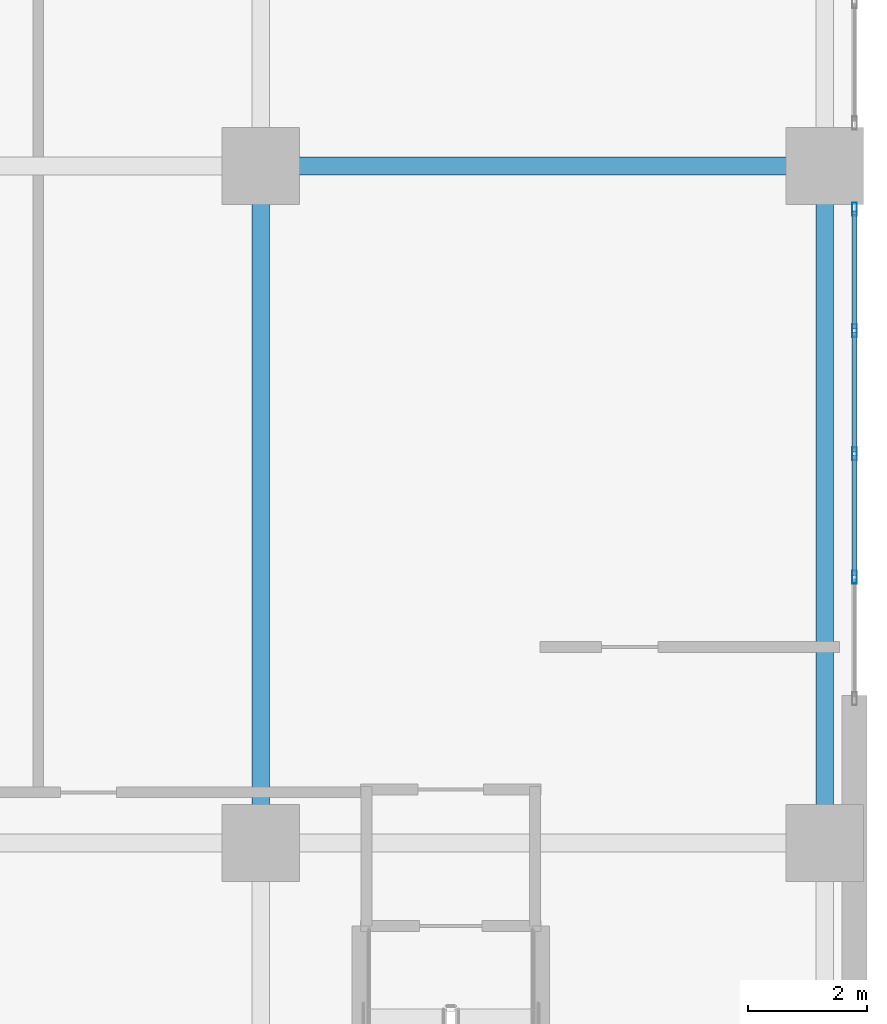
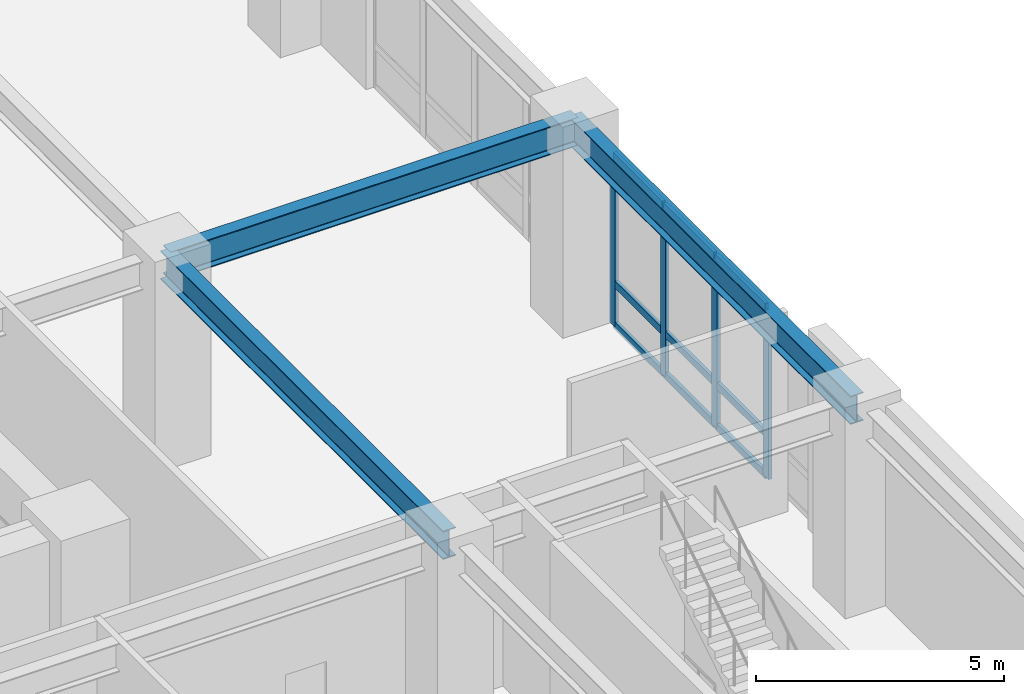
# One storey, part 15 of 26: 13 members, 3 beams, 1 element without a shape of its own.
"""IFC4 building model written with IfcOpenShell, lengths in metres."""

import ifcopenshell
import ifcopenshell.guid

model = None  # the IFC model being written
_history = None  # IfcOwnerHistory: only IFC2X3 demands one
_inside = {}  # id of a spatial element -> (the spatial element, [elements in it])
_under = {}  # id of a project, library or spatial element -> (it, [spatial elements below it])
_declared = {}  # id of a project -> (the project, [libraries it declares])
_typed = {}  # id of a type object -> (the type object, [elements of that type])
_made_of = {}  # id of a material, layer set ... -> (it, [elements and type objects made of it])


def new_model(schema):
    """Start an empty IFC model of exactly this schema.

    Asked for "IFC4X3", IfcOpenShell would pick the latest addendum, in which some entities
    have other attributes; the version numbers below select the first issue.
    IFC2X3 requires an IfcOwnerHistory on every rooted entity: one is made here for all.
    """
    global model, _history
    if schema == "IFC4X3":
        model = ifcopenshell.file(schema_version=(4, 3, 0, 0))
    else:
        model = ifcopenshell.file(schema=schema)
    _inside.clear()
    _under.clear()
    _declared.clear()
    _typed.clear()
    _made_of.clear()
    _history = None
    if model.schema == "IFC2X3":
        org = make("IfcOrganization", Name="unknown")
        user = make(
            "IfcPersonAndOrganization",
            ThePerson=make("IfcPerson", FamilyName="unknown"),
            TheOrganization=org,
        )
        app = make(
            "IfcApplication",
            ApplicationDeveloper=org,
            Version="unknown",
            ApplicationFullName="unknown",
            ApplicationIdentifier="unknown",
        )
        _history = make(
            "IfcOwnerHistory",
            OwningUser=user,
            OwningApplication=app,
            ChangeAction="ADDED",
            CreationDate=0,
        )
    return model


def make(cls, **values):
    """One entity of the class cls with the attributes given. An attribute that is None is left unset."""
    return model.create_entity(
        cls, **{name: value for name, value in values.items() if value is not None}
    )


def rooted(cls, **values):
    """An entity with a GlobalId (a new one), such as an element, a storey or a relation."""
    return make(cls, GlobalId=ifcopenshell.guid.new(), OwnerHistory=_history, **values)


def si_unit(unit_type, name, prefix=None):
    """IfcSIUnit, for example si_unit("LENGTHUNIT", "METRE", prefix="MILLI")."""
    return make("IfcSIUnit", UnitType=unit_type, Prefix=prefix, Name=name)


def assignment(units):
    """IfcUnitAssignment: the units of a project."""
    return None if units is None else make("IfcUnitAssignment", Units=units)


def point(xyz):
    """IfcCartesianPoint."""
    return None if xyz is None else make("IfcCartesianPoint", Coordinates=xyz)


def direction(xyz):
    """IfcDirection."""
    return None if xyz is None else make("IfcDirection", DirectionRatios=xyz)


def frame(location, z_axis=None, x_axis=None):
    """IfcAxis2Placement3D, a coordinate frame: its origin and axes. An axis left out is left unset."""
    return make(
        "IfcAxis2Placement3D",
        Location=point(location),
        Axis=direction(z_axis),
        RefDirection=direction(x_axis),
    )


def frame_2d(location, x_axis=None):
    """IfcAxis2Placement2D, a coordinate frame in the plane: its origin and x axis."""
    return make(
        "IfcAxis2Placement2D", Location=point(location), RefDirection=direction(x_axis)
    )


def origin():
    """The frame at (0, 0, 0) with its axes left unset."""
    return frame((0.0, 0.0, 0.0))


def origin_2d():
    """The frame at (0, 0) in the plane with its x axis left unset."""
    return frame_2d((0.0, 0.0))


def place(relative_to, where):
    """IfcLocalPlacement: puts the frame where relative to a parent placement (None: the world)."""
    return make(
        "IfcLocalPlacement", PlacementRelTo=relative_to, RelativePlacement=where
    )


def context(
    kind, dimensions, precision=None, world=None, true_north=None, identifier=None
):
    """IfcGeometricRepresentationContext, for example the 3D "Model" context."""
    return make(
        "IfcGeometricRepresentationContext",
        ContextIdentifier=identifier,
        ContextType=kind,
        CoordinateSpaceDimension=dimensions,
        Precision=precision,
        WorldCoordinateSystem=world,
        TrueNorth=true_north,
    )


def subcontext(parent, identifier, kind, view, scale=None):
    """IfcGeometricRepresentationSubContext, for example "Body" below "Model"."""
    return make(
        "IfcGeometricRepresentationSubContext",
        ContextIdentifier=identifier,
        ContextType=kind,
        ParentContext=parent,
        TargetScale=scale,
        TargetView=view,
    )


def project(units=None, contexts=None):
    """IfcProject with its units and contexts."""
    return rooted(
        "IfcProject",
        Name="project",
        RepresentationContexts=contexts,
        UnitsInContext=assignment(units),
    )


def spatial(cls, under=None, at=None, **own):
    """A site, building, storey or space (cls), placed at a placement, below another one or the project."""
    s = rooted(cls, ObjectPlacement=at, **own)
    if under is not None:
        _under.setdefault(under.id(), (under, []))[1].append(s)
    return s


def profile(cls, at=None, kind="AREA", **sizes):
    """A parametric profile (cls). Its sizes go by their IFC names, for example OverallWidth=200.0."""
    return make(cls, ProfileType=kind, Position=at, **sizes)


def hollow_rectangle(**sizes):
    """IfcRectangleHollowProfileDef."""
    return profile("IfcRectangleHollowProfileDef", **sizes)


def i_section(**sizes):
    """IfcIShapeProfileDef."""
    return profile("IfcIShapeProfileDef", **sizes)


def extrude(swept, where, along, depth):
    """IfcExtrudedAreaSolid: the profile swept, set in the frame where, extruded along a direction by depth."""
    return make(
        "IfcExtrudedAreaSolid",
        SweptArea=swept,
        Position=where,
        ExtrudedDirection=direction(along),
        Depth=depth,
    )


def shape(context_of_items, identifier, shape_type, items):
    """IfcShapeRepresentation: the items that make up one representation, for example the "Body"."""
    return make(
        "IfcShapeRepresentation",
        ContextOfItems=context_of_items,
        RepresentationIdentifier=identifier,
        RepresentationType=shape_type,
        Items=items,
    )


def material(Name=None, Category=None):
    """IfcMaterial."""
    return make("IfcMaterial", Name=Name, Category=Category)


def layer(
    of_material, thickness, ventilated=None, Name=None, Category=None, Priority=None
):
    """IfcMaterialLayer: one layer of a wall or slab, of a material (None: an air gap)."""
    return make(
        "IfcMaterialLayer",
        Material=of_material,
        LayerThickness=thickness,
        IsVentilated=ventilated,
        Name=Name,
        Category=Category,
        Priority=Priority,
    )


def layer_set(layers, Name=None):
    """IfcMaterialLayerSet."""
    return make("IfcMaterialLayerSet", MaterialLayers=layers, LayerSetName=Name)


def material_profile(
    of_material, cross_section, Name=None, Category=None, Priority=None
):
    """IfcMaterialProfile: a cross section and its material."""
    return make(
        "IfcMaterialProfile",
        Name=Name,
        Material=of_material,
        Profile=cross_section,
        Priority=Priority,
        Category=Category,
    )


def profile_set(profiles, Name=None, composite=None):
    """IfcMaterialProfileSet."""
    return make(
        "IfcMaterialProfileSet",
        Name=Name,
        MaterialProfiles=profiles,
        CompositeProfile=composite,
    )


def made_of(thing, what):
    """Note that an element or type object is made of a material, layer set ...; save() writes the relation."""
    if what is not None:
        _made_of.setdefault(what.id(), (what, []))[1].append(thing)
    return thing


def type_object(cls, material=None, **own):
    """A type object (cls), such as IfcWallType, which elements share."""
    return made_of(rooted(cls, **own), material)


def element(
    cls,
    number,
    at=None,
    inside=None,
    cuts=None,
    type_object=None,
    material=None,
    context=None,
    identifier="Body",
    shape_type=None,
    held_by="IfcProductDefinitionShape",
    body=None,
    shapes=None,
    **own,
):
    """One element of the class cls, such as IfcWall. Its Tag is "e" and its number.

    at: its placement. inside: the storey or other place that contains it. cuts: it is an
    opening in that element (IfcRelVoidsElement). A single representation is given by context,
    identifier, shape_type and body (its items); several are given by shapes. held_by: the class
    of the entity that holds the representations. save() writes the other relations.
    """
    e = rooted(cls, Tag="e%d" % number, ObjectPlacement=at, **own)
    if body is not None:
        shapes = [shape(context, identifier, shape_type, body)]
    if shapes is not None:
        e.Representation = make(held_by, Representations=shapes)
    if inside is not None:
        _inside.setdefault(inside.id(), (inside, []))[1].append(e)
    if cuts is not None:
        rooted(
            "IfcRelVoidsElement", RelatingBuildingElement=cuts, RelatedOpeningElement=e
        )
    if type_object is not None:
        _typed.setdefault(type_object.id(), (type_object, []))[1].append(e)
    return made_of(e, material)


def aggregate(whole, parts):
    """IfcRelAggregates: a whole, such as a stair, and the parts it consists of."""
    return rooted("IfcRelAggregates", RelatingObject=whole, RelatedObjects=parts)


def save(model, path):
    """Write the relations noted so far, then the file.

    IfcRelAggregates (storeys below a building ...), IfcRelContainedInSpatialStructure (elements
    in a storey), IfcRelDefinesByType, IfcRelAssociatesMaterial and IfcRelDeclares: one each for
    every whole, place, type object, material and project.
    """
    for whole, parts in _under.values():
        aggregate(whole, parts)
    for where, things in _inside.values():
        rooted(
            "IfcRelContainedInSpatialStructure",
            RelatedElements=things,
            RelatingStructure=where,
        )
    for kind, things in _typed.values():
        rooted("IfcRelDefinesByType", RelatedObjects=things, RelatingType=kind)
    for what, things in _made_of.values():
        rooted("IfcRelAssociatesMaterial", RelatedObjects=things, RelatingMaterial=what)
    for by, libraries in _declared.values():
        rooted("IfcRelDeclares", RelatingContext=by, RelatedDefinitions=libraries)
    model.write(path)


model = new_model("IFC4")

# Units and contexts
model_context = context("Model", 3, precision=1e-05, world=origin(), true_north=direction((0.0, 1.0)))
body_context = subcontext(model_context, "Body", "Model", "MODEL_VIEW")
ifc_project = project(units=[si_unit("LENGTHUNIT", "METRE"), si_unit("AREAUNIT", "SQUARE_METRE"), si_unit("VOLUMEUNIT", "CUBIC_METRE"), si_unit("PLANEANGLEUNIT", "RADIAN"), si_unit("MASSUNIT", "GRAM", prefix="KILO")], contexts=[model_context])

# Site, building, storey
site_placement = place(None, origin())
site = spatial("IfcSite", under=ifc_project, at=site_placement, CompositionType="ELEMENT")
building_placement = place(site_placement, origin())
building = spatial("IfcBuilding", under=site, at=building_placement, Name="Voryun Gate Residences", CompositionType="ELEMENT")
storey_placement = place(building_placement, frame((0.0, 0.0, 10.39990234375)))
storey = spatial("IfcBuildingStorey", under=building, at=storey_placement, Name="L02", CompositionType="ELEMENT", Elevation=10.39990234375)

# Beams
ifc_material_1 = material(Name="Steel SM355", Category="steel")
ifc_material_profile_1 = material_profile(ifc_material_1, i_section(OverallWidth=0.300048828125, OverallDepth=0.699951171875, WebThickness=0.012939453125, FlangeThickness=0.02392578125, FilletRadius=0.01806640625, at=origin_2d()), Name="H-700x300x13x24")
ifc_profile_set_1 = profile_set([ifc_material_profile_1], Name="Steel SM355")
beam_type = type_object("IfcBeamType", Name="BM_GIRD_700", PredefinedType="USERDEFINED", material=ifc_profile_set_1)
beam_placement = place(storey_placement, frame((25.60009765625, 0.0, 4.570068359375), z_axis=(1.0, 0.0, 0.0), x_axis=(0.0, 1.0, 0.0)))
element("IfcBeam", 1, at=beam_placement, inside=storey, type_object=beam_type, Name="BM-L02-PEX-+0.0-1", ObjectType="GIRDER", PredefinedType="USERDEFINED", context=body_context, shape_type="SweptSolid", body=[
    extrude(i_section(OverallWidth=0.300048828125, OverallDepth=0.699951171875, WebThickness=0.012939453125, FlangeThickness=0.02392578125, FilletRadius=0.01806640625, at=origin_2d()), origin(), (0.0, 0.0, 1.0), 9.5),
])
for number, where, z_axis, x_axis, name in (
    (2, (25.60009765625, -11.39990234375, 4.570068359375), (0.0, 1.0, 0.0), (-1.0, 0.0, 0.0), "BM-L02-PEY-+25.6-1"),
    (3, (35.10009765625, -11.39990234375, 4.570068359375), (0.0, 1.0, 0.0), (-1.0, 0.0, 0.0), "BM-L02-PEY-+35.1-1"),
):
    element("IfcBeam", number, at=place(storey_placement, frame(where, z_axis=z_axis, x_axis=x_axis)), inside=storey, type_object=beam_type, Name=name, ObjectType="GIRDER", PredefinedType="USERDEFINED", context=body_context, shape_type="SweptSolid", body=[
        extrude(i_section(OverallWidth=0.300048828125, OverallDepth=0.699951171875, WebThickness=0.012939453125, FlangeThickness=0.02392578125, FilletRadius=0.01806640625, at=origin_2d()), origin(), (0.0, 0.0, 1.0), 11.39990234375),
    ])

# Curtain wall, members
ifc_material_2 = material(Name="Anodised aluminium", Category="aluminium")
ifc_layer = layer(ifc_material_2, 0.219970703125, Name="CW_SYS_POD_DARK_GLASS")
ifc_layer_set = layer_set([ifc_layer], Name="Anodised aluminium")
curtain_wall_type = type_object("IfcCurtainWallType", Name="CW_SYS_POD_DARK_GLASS", PredefinedType="NOTDEFINED", material=ifc_layer_set)
curtain_wall_placement = place(storey_placement, origin())
curtain_wall = element("IfcCurtainWall", 4, at=curtain_wall_placement, inside=storey, type_object=curtain_wall_type, Name="Curtain wall CW1-L02-EPE-S", PredefinedType="NOTDEFINED")
ifc_material_3 = material(Name="Anodised aluminium", Category="aluminium")
ifc_material_profile_2 = material_profile(ifc_material_3, hollow_rectangle(XDim=0.080078125, YDim=0.219970703125, WallThickness=0.0048828125, at=origin_2d()), Name="ALU-MULL-220x80x5")
ifc_profile_set_2 = profile_set([ifc_material_profile_2], Name="Anodised aluminium")
member_type_1 = type_object("IfcMemberType", Name="CW_MULL_POD", PredefinedType="MULLION", material=ifc_profile_set_2)
member_1_placement = place(storey_placement, frame((35.60009765625, -6.923828125, 0.0), z_axis=(0.0, 0.0, 1.0), x_axis=(-1.0, 0.0, 0.0)))
member_1 = element("IfcMember", 5, at=member_1_placement, type_object=member_type_1, Name="CW1 mullion 2", PredefinedType="MULLION", context=body_context, shape_type="SweptSolid", body=[
    extrude(hollow_rectangle(XDim=0.080078125, YDim=0.219970703125, WallThickness=0.0048828125, at=origin_2d()), origin(), (0.0, 0.0, 1.0), 4.2001953125),
])
member_2_placement = place(storey_placement, frame((35.60009765625, -4.847412109375, 0.0), z_axis=(0.0, 0.0, 1.0), x_axis=(-1.0, 0.0, 0.0)))
member_2 = element("IfcMember", 6, at=member_2_placement, type_object=member_type_1, Name="CW1 mullion 3", PredefinedType="MULLION", context=body_context, shape_type="SweptSolid", body=[
    extrude(hollow_rectangle(XDim=0.080078125, YDim=0.219970703125, WallThickness=0.0048828125, at=origin_2d()), origin(), (0.0, 0.0, 1.0), 4.2001953125),
])
member_3_placement = place(storey_placement, frame((35.60009765625, -2.771240234375, 0.0), z_axis=(0.0, 0.0, 1.0), x_axis=(-1.0, 0.0, 0.0)))
member_3 = element("IfcMember", 7, at=member_3_placement, type_object=member_type_1, Name="CW1 mullion 4", PredefinedType="MULLION", context=body_context, shape_type="SweptSolid", body=[
    extrude(hollow_rectangle(XDim=0.080078125, YDim=0.219970703125, WallThickness=0.0048828125, at=origin_2d()), origin(), (0.0, 0.0, 1.0), 4.2001953125),
])
member_4_placement = place(storey_placement, frame((35.60009765625, -0.72509765625, 0.0), z_axis=(0.0, 0.0, 1.0), x_axis=(-1.0, 0.0, 0.0)))
member_4 = element("IfcMember", 8, at=member_4_placement, type_object=member_type_1, Name="CW1 mullion 5", PredefinedType="MULLION", context=body_context, shape_type="SweptSolid", body=[
    extrude(hollow_rectangle(XDim=0.080078125, YDim=0.219970703125, WallThickness=0.0048828125, at=origin_2d()), origin(), (0.0, 0.0, 1.0), 4.2001953125),
])
ifc_material_4 = material(Name="Anodised aluminium", Category="aluminium")
ifc_material_profile_3 = material_profile(ifc_material_4, hollow_rectangle(XDim=0.080078125, YDim=0.179931640625, WallThickness=0.0048828125, at=origin_2d()), Name="ALU-TRAN-180x80x5")
ifc_profile_set_3 = profile_set([ifc_material_profile_3], Name="Anodised aluminium")
member_type_2 = type_object("IfcMemberType", Name="CW_TRAN_POD", PredefinedType="USERDEFINED", material=ifc_profile_set_3)
member_5_placement = place(storey_placement, frame((35.60009765625, -6.893798828125, 0.030029296875), z_axis=(0.0, 1.0, 0.0), x_axis=(-1.0, 0.0, 0.0)))
member_5 = element("IfcMember", 9, at=member_5_placement, type_object=member_type_2, Name="CW1 transom 2.1", ObjectType="TRANSOM", PredefinedType="USERDEFINED", context=body_context, shape_type="SweptSolid", body=[
    extrude(hollow_rectangle(XDim=0.080078125, YDim=0.179931640625, WallThickness=0.0048828125, at=origin_2d()), origin(), (0.0, 0.0, 1.0), 2.016357421875),
])
member_6_placement = place(storey_placement, frame((35.60009765625, -6.893798828125, 1.050048828125), z_axis=(0.0, 1.0, 0.0), x_axis=(-1.0, 0.0, 0.0)))
member_6 = element("IfcMember", 10, at=member_6_placement, type_object=member_type_2, Name="CW1 transom 2.2", ObjectType="TRANSOM", PredefinedType="USERDEFINED", context=body_context, shape_type="SweptSolid", body=[
    extrude(hollow_rectangle(XDim=0.080078125, YDim=0.179931640625, WallThickness=0.0048828125, at=origin_2d()), origin(), (0.0, 0.0, 1.0), 2.016357421875),
])
member_7_placement = place(storey_placement, frame((35.60009765625, -6.893798828125, 4.170166015625), z_axis=(0.0, 1.0, 0.0), x_axis=(-1.0, 0.0, 0.0)))
member_7 = element("IfcMember", 11, at=member_7_placement, type_object=member_type_2, Name="CW1 transom 2.3", ObjectType="TRANSOM", PredefinedType="USERDEFINED", context=body_context, shape_type="SweptSolid", body=[
    extrude(hollow_rectangle(XDim=0.080078125, YDim=0.179931640625, WallThickness=0.0048828125, at=origin_2d()), origin(), (0.0, 0.0, 1.0), 2.016357421875),
])
member_8_placement = place(storey_placement, frame((35.60009765625, -4.8173828125, 0.030029296875), z_axis=(0.0, 1.0, 0.0), x_axis=(-1.0, 0.0, 0.0)))
member_8 = element("IfcMember", 12, at=member_8_placement, type_object=member_type_2, Name="CW1 transom 3.1", ObjectType="TRANSOM", PredefinedType="USERDEFINED", context=body_context, shape_type="SweptSolid", body=[
    extrude(hollow_rectangle(XDim=0.080078125, YDim=0.179931640625, WallThickness=0.0048828125, at=origin_2d()), origin(), (0.0, 0.0, 1.0), 2.01611328125),
])
member_9_placement = place(storey_placement, frame((35.60009765625, -4.8173828125, 1.050048828125), z_axis=(0.0, 1.0, 0.0), x_axis=(-1.0, 0.0, 0.0)))
member_9 = element("IfcMember", 13, at=member_9_placement, type_object=member_type_2, Name="CW1 transom 3.2", ObjectType="TRANSOM", PredefinedType="USERDEFINED", context=body_context, shape_type="SweptSolid", body=[
    extrude(hollow_rectangle(XDim=0.080078125, YDim=0.179931640625, WallThickness=0.0048828125, at=origin_2d()), origin(), (0.0, 0.0, 1.0), 2.01611328125),
])
member_10_placement = place(storey_placement, frame((35.60009765625, -4.8173828125, 4.170166015625), z_axis=(0.0, 1.0, 0.0), x_axis=(-1.0, 0.0, 0.0)))
member_10 = element("IfcMember", 14, at=member_10_placement, type_object=member_type_2, Name="CW1 transom 3.3", ObjectType="TRANSOM", PredefinedType="USERDEFINED", context=body_context, shape_type="SweptSolid", body=[
    extrude(hollow_rectangle(XDim=0.080078125, YDim=0.179931640625, WallThickness=0.0048828125, at=origin_2d()), origin(), (0.0, 0.0, 1.0), 2.01611328125),
])
member_11_placement = place(storey_placement, frame((35.60009765625, -2.7412109375, 0.030029296875), z_axis=(0.0, 1.0, 0.0), x_axis=(-1.0, 0.0, 0.0)))
member_11 = element("IfcMember", 15, at=member_11_placement, type_object=member_type_2, Name="CW1 transom 4.1", ObjectType="TRANSOM", PredefinedType="USERDEFINED", context=body_context, shape_type="SweptSolid", body=[
    extrude(hollow_rectangle(XDim=0.080078125, YDim=0.179931640625, WallThickness=0.0048828125, at=origin_2d()), origin(), (0.0, 0.0, 1.0), 1.986328125),
])
member_12_placement = place(storey_placement, frame((35.60009765625, -2.7412109375, 1.050048828125), z_axis=(0.0, 1.0, 0.0), x_axis=(-1.0, 0.0, 0.0)))
member_12 = element("IfcMember", 16, at=member_12_placement, type_object=member_type_2, Name="CW1 transom 4.2", ObjectType="TRANSOM", PredefinedType="USERDEFINED", context=body_context, shape_type="SweptSolid", body=[
    extrude(hollow_rectangle(XDim=0.080078125, YDim=0.179931640625, WallThickness=0.0048828125, at=origin_2d()), origin(), (0.0, 0.0, 1.0), 1.986328125),
])
member_13_placement = place(storey_placement, frame((35.60009765625, -2.7412109375, 4.170166015625), z_axis=(0.0, 1.0, 0.0), x_axis=(-1.0, 0.0, 0.0)))
member_13 = element("IfcMember", 17, at=member_13_placement, type_object=member_type_2, Name="CW1 transom 4.3", ObjectType="TRANSOM", PredefinedType="USERDEFINED", context=body_context, shape_type="SweptSolid", body=[
    extrude(hollow_rectangle(XDim=0.080078125, YDim=0.179931640625, WallThickness=0.0048828125, at=origin_2d()), origin(), (0.0, 0.0, 1.0), 1.986328125),
])
aggregate(curtain_wall, [member_1, member_2, member_3, member_4, member_5, member_6, member_7, member_8, member_9, member_10, member_11, member_12, member_13])

save(model, "model.ifc")
